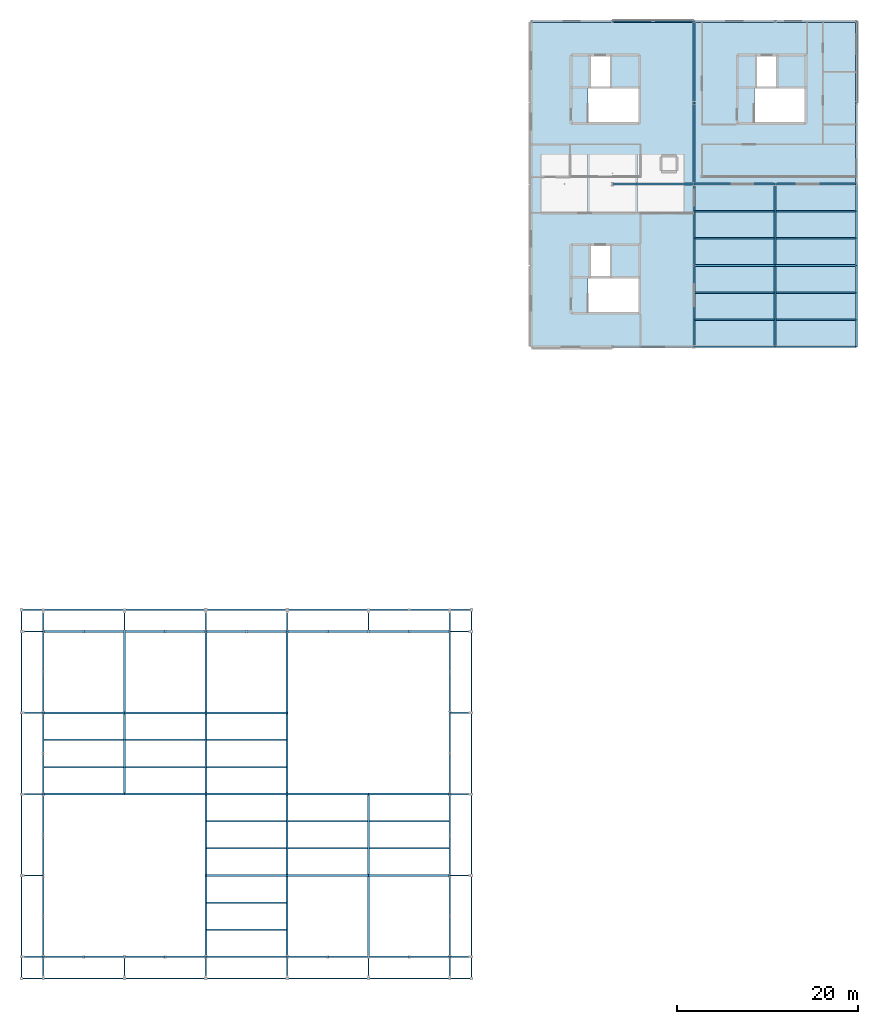
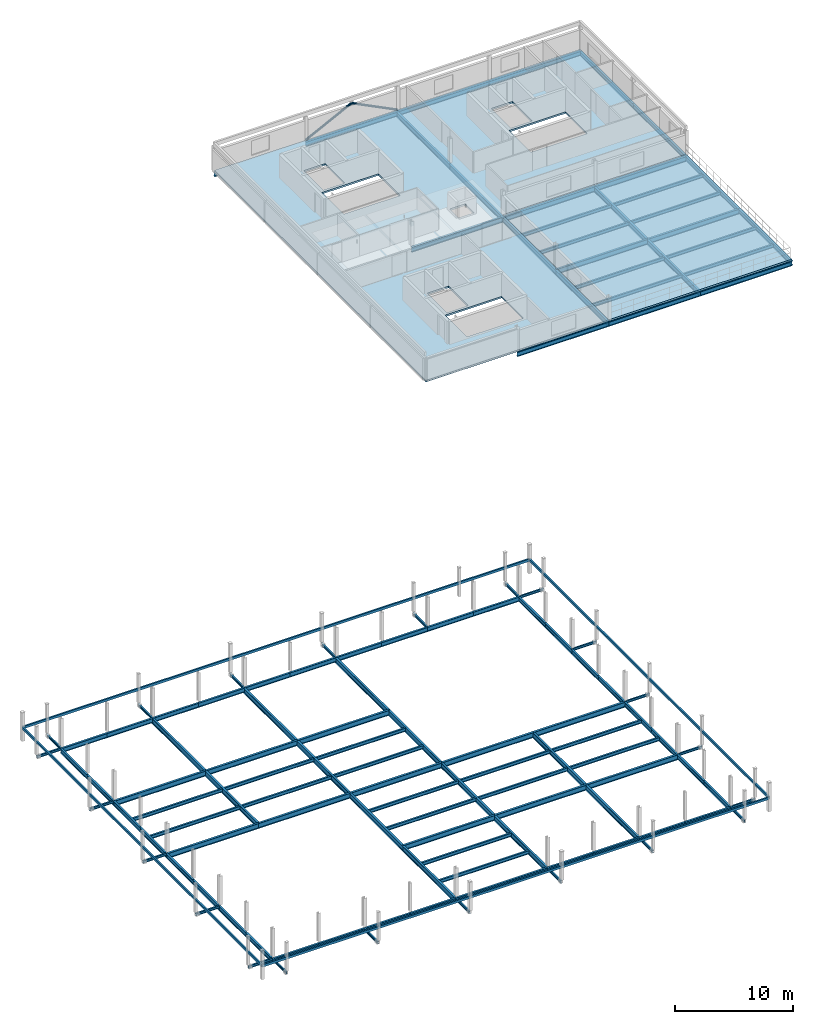
# One storey, part 9 of 16: 128 beams, 2 members, 2 slabs.
"""IFC4 building model written with IfcOpenShell, lengths in metres."""

from ifc_helpers import new_model, si_unit, direction, frame, origin, origin_2d, place, context, subcontext, project, spatial, polyline, hollow_rectangle, hollow_circle, i_section, outline, extrude, material, layer, layer_set, material_profile, profile_set, type_object, element, save


model = new_model("IFC4")

# Units and contexts
model_context = context("Model", 3, precision=1e-05, world=origin(), true_north=direction((0.0, 1.0)))
body_context = subcontext(model_context, "Body", "Model", "MODEL_VIEW")
ifc_project = project(units=[si_unit("LENGTHUNIT", "METRE"), si_unit("AREAUNIT", "SQUARE_METRE"), si_unit("VOLUMEUNIT", "CUBIC_METRE"), si_unit("PLANEANGLEUNIT", "RADIAN"), si_unit("MASSUNIT", "GRAM", prefix="KILO"), si_unit("THERMODYNAMICTEMPERATUREUNIT", "KELVIN"), si_unit("POWERUNIT", "WATT")], contexts=[model_context])

# Site, building, storey
site_placement = place(None, origin())
site = spatial("IfcSite", under=ifc_project, at=site_placement, CompositionType="ELEMENT")
building_placement = place(site_placement, origin())
building = spatial("IfcBuilding", under=site, at=building_placement, Name="Tallowbark Science Centre", CompositionType="ELEMENT")
storey_placement = place(building_placement, frame((0.0, 0.0, 23.39990234375)))
storey = spatial("IfcBuildingStorey", under=building, at=storey_placement, Name="L05", CompositionType="ELEMENT", Elevation=23.39990234375)

# Beams
ifc_material_1 = material(Name="White Architectural Painted Steel Grade C350L0 (350 MPa)", Category="steel")
ifc_material_profile_1 = material_profile(ifc_material_1, i_section(OverallWidth=0.146484375, OverallDepth=0.256103515625, WebThickness=0.00634765625, FlangeThickness=0.010986328125, FilletRadius=0.0087890625, at=origin_2d()), Name="250UB37.3")
ifc_profile_set_1 = profile_set([ifc_material_profile_1], Name="White Architectural Painted Steel Grade C350L0 (350 MPa)")
beam_type_1 = type_object("IfcBeamType", Name="BM-OUT250", PredefinedType="BEAM", material=ifc_profile_set_1)
for number, where, z_axis, x_axis, name in (
    (1, (58.5, 4.5, -0.25), (0.0, -1.0, 0.0), (1.0, 0.0, 0.0), "Star Screen Outrigger Tie Beam S-79"),
    (2, (58.5, 40.5, -0.25), (0.0, 1.0, 0.0), (-1.0, 0.0, 0.0), "Star Screen Outrigger Tie Beam N-80"),
    (3, (67.5, 4.5, -0.25), (0.0, -1.0, 0.0), (1.0, 0.0, 0.0), "Star Screen Outrigger Tie Beam S-81"),
    (4, (67.5, 40.5, -0.25), (0.0, 1.0, 0.0), (-1.0, 0.0, 0.0), "Star Screen Outrigger Tie Beam N-82"),
    (5, (76.5, 4.5, -0.25), (0.0, -1.0, 0.0), (1.0, 0.0, 0.0), "Star Screen Outrigger Tie Beam S-83"),
    (6, (76.5, 40.5, -0.25), (0.0, 1.0, 0.0), (-1.0, 0.0, 0.0), "Star Screen Outrigger Tie Beam N-84"),
    (7, (85.5, 4.5, -0.25), (0.0, -1.0, 0.0), (1.0, 0.0, 0.0), "Star Screen Outrigger Tie Beam S-85"),
    (8, (85.5, 40.5, -0.25), (0.0, 1.0, 0.0), (-1.0, 0.0, 0.0), "Star Screen Outrigger Tie Beam N-86"),
    (9, (94.5, 4.5, -0.25), (0.0, -1.0, 0.0), (1.0, 0.0, 0.0), "Star Screen Outrigger Tie Beam S-87"),
    (10, (94.5, 40.5, -0.25), (0.0, 1.0, 0.0), (-1.0, 0.0, 0.0), "Star Screen Outrigger Tie Beam N-88"),
    (11, (103.5, 4.5, -0.25), (0.0, -1.0, 0.0), (1.0, 0.0, 0.0), "Star Screen Outrigger Tie Beam S-89"),
    (12, (103.5, 40.5, -0.25), (0.0, 1.0, 0.0), (-1.0, 0.0, 0.0), "Star Screen Outrigger Tie Beam N-90"),
    (13, (58.5, 4.5, -0.25), (-1.0, 0.0, 0.0), (0.0, -1.0, 0.0), "Star Screen Outrigger Tie Beam W-91"),
    (14, (103.5, 4.5, -0.25), (1.0, 0.0, 0.0), (0.0, 1.0, 0.0), "Star Screen Outrigger Tie Beam E-92"),
    (15, (58.5, 13.5, -0.25), (-1.0, 0.0, 0.0), (0.0, -1.0, 0.0), "Star Screen Outrigger Tie Beam W-93"),
    (16, (103.5, 13.5, -0.25), (1.0, 0.0, 0.0), (0.0, 1.0, 0.0), "Star Screen Outrigger Tie Beam E-94"),
    (17, (58.5, 22.5, -0.25), (-1.0, 0.0, 0.0), (0.0, -1.0, 0.0), "Star Screen Outrigger Tie Beam W-95"),
    (18, (103.5, 22.5, -0.25), (1.0, 0.0, 0.0), (0.0, 1.0, 0.0), "Star Screen Outrigger Tie Beam E-96"),
    (19, (58.5, 31.5, -0.25), (-1.0, 0.0, 0.0), (0.0, -1.0, 0.0), "Star Screen Outrigger Tie Beam W-97"),
    (20, (103.5, 31.5, -0.25), (1.0, 0.0, 0.0), (0.0, 1.0, 0.0), "Star Screen Outrigger Tie Beam E-98"),
    (21, (58.5, 40.5, -0.25), (-1.0, 0.0, 0.0), (0.0, -1.0, 0.0), "Star Screen Outrigger Tie Beam W-99"),
    (22, (103.5, 40.5, -0.25), (1.0, 0.0, 0.0), (0.0, 1.0, 0.0), "Star Screen Outrigger Tie Beam E-100"),
):
    element("IfcBeam", number, at=place(storey_placement, frame(where, z_axis=z_axis, x_axis=x_axis)), inside=storey, type_object=beam_type_1, Name=name, PredefinedType="BEAM", context=body_context, shape_type="SweptSolid", body=[
        extrude(i_section(OverallWidth=0.146484375, OverallDepth=0.256103515625, WebThickness=0.00634765625, FlangeThickness=0.010986328125, FilletRadius=0.0087890625, at=origin_2d()), origin(), (0.0, 0.0, 1.0), 2.39990234375),
    ])
ifc_material_2 = material(Name="Structural Steel Grade 300PLUS (300 MPa)", Category="steel")
ifc_material_profile_2 = material_profile(ifc_material_2, i_section(OverallWidth=0.208984375, OverallDepth=0.532958984375, WebThickness=0.01025390625, FlangeThickness=0.015625, FilletRadius=0.013916015625, at=origin_2d()), Name="530UB92.4")
ifc_profile_set_2 = profile_set([ifc_material_profile_2], Name="Structural Steel Grade 300PLUS (300 MPa)")
beam_type_2 = type_object("IfcBeamType", Name="BM-UB530A", PredefinedType="BEAM", material=ifc_profile_set_2)
for number, where, z_axis, x_axis, name in (
    (23, (76.5, 13.5, -0.4462890625), (1.0, 0.0, 0.0), (0.0, 1.0, 0.0), "Primary Girder GRDX-L05-765-855-135"),
    (24, (85.5, 13.5, -0.4462890625), (1.0, 0.0, 0.0), (0.0, 1.0, 0.0), "Primary Girder GRDX-L05-855-945-135"),
    (25, (94.5, 13.5, -0.4462890625), (1.0, 0.0, 0.0), (0.0, 1.0, 0.0), "Primary Girder GRDX-L05-945-1035-135"),
    (26, (58.5, 22.5, -0.4462890625), (1.0, 0.0, 0.0), (0.0, 1.0, 0.0), "Primary Girder GRDX-L05-585-675-225"),
    (27, (67.5, 22.5, -0.4462890625), (1.0, 0.0, 0.0), (0.0, 1.0, 0.0), "Primary Girder GRDX-L05-675-765-225"),
    (28, (76.5, 22.5, -0.4462890625), (1.0, 0.0, 0.0), (0.0, 1.0, 0.0), "Primary Girder GRDX-L05-765-855-225"),
    (29, (85.5, 22.5, -0.4462890625), (1.0, 0.0, 0.0), (0.0, 1.0, 0.0), "Primary Girder GRDX-L05-855-945-225"),
    (30, (94.5, 22.5, -0.4462890625), (1.0, 0.0, 0.0), (0.0, 1.0, 0.0), "Primary Girder GRDX-L05-945-1035-225"),
    (31, (58.5, 31.5, -0.4462890625), (1.0, 0.0, 0.0), (0.0, 1.0, 0.0), "Primary Girder GRDX-L05-585-675-315"),
    (32, (67.5, 31.5, -0.4462890625), (1.0, 0.0, 0.0), (0.0, 1.0, 0.0), "Primary Girder GRDX-L05-675-765-315"),
    (33, (76.5, 31.5, -0.4462890625), (1.0, 0.0, 0.0), (0.0, 1.0, 0.0), "Primary Girder GRDX-L05-765-855-315"),
    (34, (130.5, 81.0, -0.4462890625), (1.0, 0.0, 0.0), (0.0, 1.0, 0.0), "Primary Girder GRDX-L05-1305-1395-810"),
    (35, (139.5, 81.0, -0.4462890625), (1.0, 0.0, 0.0), (0.0, 1.0, 0.0), "Primary Girder GRDX-L05-1395-1485-810"),
    (36, (121.5, 90.0, -0.4462890625), (1.0, 0.0, 0.0), (0.0, 1.0, 0.0), "Primary Girder GRDX-L05-1215-1305-900"),
    (37, (130.5, 90.0, -0.4462890625), (1.0, 0.0, 0.0), (0.0, 1.0, 0.0), "Primary Girder GRDX-L05-1305-1395-900"),
    (38, (139.5, 90.0, -0.4462890625), (1.0, 0.0, 0.0), (0.0, 1.0, 0.0), "Primary Girder GRDX-L05-1395-1485-900"),
):
    element("IfcBeam", number, at=place(storey_placement, frame(where, z_axis=z_axis, x_axis=x_axis)), inside=storey, type_object=beam_type_2, Name=name, PredefinedType="BEAM", context=body_context, shape_type="SweptSolid", body=[
        extrude(i_section(OverallWidth=0.208984375, OverallDepth=0.532958984375, WebThickness=0.01025390625, FlangeThickness=0.015625, FilletRadius=0.013916015625, at=origin_2d()), origin(), (0.0, 0.0, 1.0), 9.0),
    ])
ifc_material_profile_3 = material_profile(ifc_material_2, i_section(OverallWidth=0.208740234375, OverallDepth=0.5283203125, WebThickness=0.009521484375, FlangeThickness=0.01318359375, FilletRadius=0.013916015625, at=origin_2d()), Name="530UB82.0")
ifc_profile_set_3 = profile_set([ifc_material_profile_3], Name="Structural Steel Grade 300PLUS (300 MPa)")
beam_type_3 = type_object("IfcBeamType", Name="BM-UB530B", PredefinedType="BEAM", material=ifc_profile_set_3)
for number, where, z_axis, x_axis, name in (
    (39, (67.5, 22.5, -0.444091796875), (0.0, 1.0, 0.0), (-1.0, 0.0, 0.0), "Primary Girder GRDY-L05-675-225-315"),
    (40, (67.5, 31.5, -0.444091796875), (0.0, 1.0, 0.0), (-1.0, 0.0, 0.0), "Primary Girder GRDY-L05-675-315-405"),
    (41, (76.5, 4.5, -0.444091796875), (0.0, 1.0, 0.0), (-1.0, 0.0, 0.0), "Primary Girder GRDY-L05-765-45-135"),
    (42, (76.5, 13.5, -0.444091796875), (0.0, 1.0, 0.0), (-1.0, 0.0, 0.0), "Primary Girder GRDY-L05-765-135-225"),
    (43, (76.5, 22.5, -0.444091796875), (0.0, 1.0, 0.0), (-1.0, 0.0, 0.0), "Primary Girder GRDY-L05-765-225-315"),
    (44, (76.5, 31.5, -0.444091796875), (0.0, 1.0, 0.0), (-1.0, 0.0, 0.0), "Primary Girder GRDY-L05-765-315-405"),
    (45, (85.5, 4.5, -0.444091796875), (0.0, 1.0, 0.0), (-1.0, 0.0, 0.0), "Primary Girder GRDY-L05-855-45-135"),
    (46, (85.5, 13.5, -0.444091796875), (0.0, 1.0, 0.0), (-1.0, 0.0, 0.0), "Primary Girder GRDY-L05-855-135-225"),
    (47, (85.5, 22.5, -0.444091796875), (0.0, 1.0, 0.0), (-1.0, 0.0, 0.0), "Primary Girder GRDY-L05-855-225-315"),
    (48, (85.5, 31.5, -0.444091796875), (0.0, 1.0, 0.0), (-1.0, 0.0, 0.0), "Primary Girder GRDY-L05-855-315-405"),
    (49, (94.5, 4.5, -0.444091796875), (0.0, 1.0, 0.0), (-1.0, 0.0, 0.0), "Primary Girder GRDY-L05-945-45-135"),
    (50, (94.5, 13.5, -0.444091796875), (0.0, 1.0, 0.0), (-1.0, 0.0, 0.0), "Primary Girder GRDY-L05-945-135-225"),
    (51, (130.5, 72.0, -0.444091796875), (0.0, 1.0, 0.0), (-1.0, 0.0, 0.0), "Primary Girder GRDY-L05-1305-720-810"),
    (52, (130.5, 81.0, -0.444091796875), (0.0, 1.0, 0.0), (-1.0, 0.0, 0.0), "Primary Girder GRDY-L05-1305-810-900"),
    (53, (130.5, 90.0, -0.444091796875), (0.0, 1.0, 0.0), (-1.0, 0.0, 0.0), "Primary Girder GRDY-L05-1305-900-990"),
    (54, (130.5, 99.0, -0.444091796875), (0.0, 1.0, 0.0), (-1.0, 0.0, 0.0), "Primary Girder GRDY-L05-1305-990-1080"),
    (55, (139.5, 72.0, -0.444091796875), (0.0, 1.0, 0.0), (-1.0, 0.0, 0.0), "Primary Girder GRDY-L05-1395-720-810"),
    (56, (139.5, 81.0, -0.444091796875), (0.0, 1.0, 0.0), (-1.0, 0.0, 0.0), "Primary Girder GRDY-L05-1395-810-900"),
):
    element("IfcBeam", number, at=place(storey_placement, frame(where, z_axis=z_axis, x_axis=x_axis)), inside=storey, type_object=beam_type_3, Name=name, PredefinedType="BEAM", context=body_context, shape_type="SweptSolid", body=[
        extrude(i_section(OverallWidth=0.208740234375, OverallDepth=0.5283203125, WebThickness=0.009521484375, FlangeThickness=0.01318359375, FilletRadius=0.013916015625, at=origin_2d()), origin(), (0.0, 0.0, 1.0), 9.0),
    ])

# Members
ifc_material_3 = material(Name="Structural Steel Grade C350L0 (350 MPa)", Category="steel")
ifc_material_profile_4 = material_profile(ifc_material_3, hollow_circle(Radius=0.109619140625, WallThickness=0.00830078125, at=origin_2d()), Name="219.1x8.2CHS")
ifc_profile_set_4 = profile_set([ifc_material_profile_4], Name="Structural Steel Grade C350L0 (350 MPa)")
member_type = type_object("IfcMemberType", Name="CBF-219CHS", PredefinedType="BRACE", material=ifc_profile_set_4)
for number, where, z_axis, x_axis, name in (
    (57, (121.5, 108.0, 0.0), (0.893630663254, 0.0, 0.448803116848), (0.0, 1.0, 0.0), "Concentric Chevron Brace CBF-OBS-N1 L05 Left"),
    (58, (130.5, 108.0, 0.0), (-0.893630663254, 0.0, 0.448803116848), (0.0, -1.0, 0.0), "Concentric Chevron Brace CBF-OBS-N1 L05 Right"),
):
    element("IfcMember", number, at=place(storey_placement, frame(where, z_axis=z_axis, x_axis=x_axis)), inside=storey, type_object=member_type, Name=name, PredefinedType="BRACE", context=body_context, shape_type="SweptSolid", body=[
        extrude(hollow_circle(Radius=0.109619140625, WallThickness=0.00830078125, at=origin_2d()), origin(), (0.0, 0.0, 1.0), 5.03564453125),
    ])

# Beams
ifc_material_profile_5 = material_profile(ifc_material_2, i_section(OverallWidth=0.172119140625, OverallDepth=0.358642578125, WebThickness=0.008056640625, FlangeThickness=0.012939453125, FilletRadius=0.011474609375, at=origin_2d()), Name="360UB56.7")
ifc_profile_set_5 = profile_set([ifc_material_profile_5], Name="Structural Steel Grade 300PLUS (300 MPa)")
beam_type_4 = type_object("IfcBeamType", Name="JST-UB360", PredefinedType="JOIST", material=ifc_profile_set_5)
for number, where, z_axis, x_axis, name in (
    (59, (76.5849609375, 7.5, -0.359130859375), (1.0, 0.0, 0.0), (0.0, 1.0, 0.0), "Composite Floor Joist JSTX-L05-765-75"),
    (60, (76.5849609375, 10.5, -0.359130859375), (1.0, 0.0, 0.0), (0.0, 1.0, 0.0), "Composite Floor Joist JSTX-L05-765-105"),
    (61, (76.5849609375, 16.5, -0.359130859375), (1.0, 0.0, 0.0), (0.0, 1.0, 0.0), "Composite Floor Joist JSTX-L05-765-165"),
    (62, (76.5849609375, 19.5, -0.359130859375), (1.0, 0.0, 0.0), (0.0, 1.0, 0.0), "Composite Floor Joist JSTX-L05-765-195"),
    (63, (85.5849609375, 16.5, -0.359130859375), (1.0, 0.0, 0.0), (0.0, 1.0, 0.0), "Composite Floor Joist JSTX-L05-855-165"),
    (64, (85.5849609375, 19.5, -0.359130859375), (1.0, 0.0, 0.0), (0.0, 1.0, 0.0), "Composite Floor Joist JSTX-L05-855-195"),
    (65, (94.5849609375, 16.5, -0.359130859375), (1.0, 0.0, 0.0), (0.0, 1.0, 0.0), "Composite Floor Joist JSTX-L05-945-165"),
    (66, (94.5849609375, 19.5, -0.359130859375), (1.0, 0.0, 0.0), (0.0, 1.0, 0.0), "Composite Floor Joist JSTX-L05-945-195"),
    (67, (58.5849609375, 25.5, -0.359130859375), (1.0, 0.0, 0.0), (0.0, 1.0, 0.0), "Composite Floor Joist JSTX-L05-585-255"),
    (68, (58.5849609375, 28.5, -0.359130859375), (1.0, 0.0, 0.0), (0.0, 1.0, 0.0), "Composite Floor Joist JSTX-L05-585-285"),
    (69, (67.5849609375, 25.5, -0.359130859375), (1.0, 0.0, 0.0), (0.0, 1.0, 0.0), "Composite Floor Joist JSTX-L05-675-255"),
    (70, (67.5849609375, 28.5, -0.359130859375), (1.0, 0.0, 0.0), (0.0, 1.0, 0.0), "Composite Floor Joist JSTX-L05-675-285"),
    (71, (76.5849609375, 25.5, -0.359130859375), (1.0, 0.0, 0.0), (0.0, 1.0, 0.0), "Composite Floor Joist JSTX-L05-765-255"),
    (72, (76.5849609375, 28.5, -0.359130859375), (1.0, 0.0, 0.0), (0.0, 1.0, 0.0), "Composite Floor Joist JSTX-L05-765-285"),
    (73, (130.5849609375, 75.0, -0.359130859375), (1.0, 0.0, 0.0), (0.0, 1.0, 0.0), "Composite Floor Joist JSTX-L05-1305-750"),
    (74, (130.5849609375, 78.0, -0.359130859375), (1.0, 0.0, 0.0), (0.0, 1.0, 0.0), "Composite Floor Joist JSTX-L05-1305-780"),
    (75, (139.5849609375, 75.0, -0.359130859375), (1.0, 0.0, 0.0), (0.0, 1.0, 0.0), "Composite Floor Joist JSTX-L05-1395-750"),
    (76, (139.5849609375, 78.0, -0.359130859375), (1.0, 0.0, 0.0), (0.0, 1.0, 0.0), "Composite Floor Joist JSTX-L05-1395-780"),
    (77, (130.5849609375, 84.0, -0.359130859375), (1.0, 0.0, 0.0), (0.0, 1.0, 0.0), "Composite Floor Joist JSTX-L05-1305-840"),
    (78, (130.5849609375, 87.0, -0.359130859375), (1.0, 0.0, 0.0), (0.0, 1.0, 0.0), "Composite Floor Joist JSTX-L05-1305-870"),
    (79, (139.5849609375, 84.0, -0.359130859375), (1.0, 0.0, 0.0), (0.0, 1.0, 0.0), "Composite Floor Joist JSTX-L05-1395-840"),
    (80, (139.5849609375, 87.0, -0.359130859375), (1.0, 0.0, 0.0), (0.0, 1.0, 0.0), "Composite Floor Joist JSTX-L05-1395-870"),
):
    element("IfcBeam", number, at=place(storey_placement, frame(where, z_axis=z_axis, x_axis=x_axis)), inside=storey, type_object=beam_type_4, Name=name, PredefinedType="JOIST", context=body_context, shape_type="SweptSolid", body=[
        extrude(i_section(OverallWidth=0.172119140625, OverallDepth=0.358642578125, WebThickness=0.008056640625, FlangeThickness=0.012939453125, FilletRadius=0.011474609375, at=origin_2d()), origin(), (0.0, 0.0, 1.0), 8.830078125),
    ])
ifc_material_profile_6 = material_profile(ifc_material_1, hollow_rectangle(XDim=0.14990234375, YDim=0.25, WallThickness=0.009033203125, at=origin_2d()), Name="250x150x9.0RHS")
ifc_profile_set_6 = profile_set([ifc_material_profile_6], Name="White Architectural Painted Steel Grade C350L0 (350 MPa)")
beam_type_5 = type_object("IfcBeamType", Name="SPN-RHS250", PredefinedType="SPANDREL", material=ifc_profile_set_6)
for number, where, z_axis, x_axis, name in (
    (81, (56.10009765625, 2.10009765625, 1.35009765625), (1.0, 0.0, 0.0), (0.0, 1.0, 0.0), "Star Screen Perimeter Ring Beam S-L05"),
    (82, (56.10009765625, 42.89990234375, 1.35009765625), (1.0, 0.0, 0.0), (0.0, 1.0, 0.0), "Star Screen Perimeter Ring Beam N-L05"),
):
    element("IfcBeam", number, at=place(storey_placement, frame(where, z_axis=z_axis, x_axis=x_axis)), inside=storey, type_object=beam_type_5, Name=name, PredefinedType="SPANDREL", context=body_context, shape_type="SweptSolid", body=[
        extrude(hollow_rectangle(XDim=0.14990234375, YDim=0.25, WallThickness=0.009033203125, at=origin_2d()), origin(), (0.0, 0.0, 1.0), 49.7998046875),
    ])
for number, where, z_axis, x_axis, name in (
    (83, (56.10009765625, 2.10009765625, 1.35009765625), (0.0, 1.0, 0.0), (-1.0, 0.0, 0.0), "Star Screen Perimeter Ring Beam W-L05"),
    (84, (105.89990234375, 2.10009765625, 1.35009765625), (0.0, 1.0, 0.0), (-1.0, 0.0, 0.0), "Star Screen Perimeter Ring Beam E-L05"),
):
    element("IfcBeam", number, at=place(storey_placement, frame(where, z_axis=z_axis, x_axis=x_axis)), inside=storey, type_object=beam_type_5, Name=name, PredefinedType="SPANDREL", context=body_context, shape_type="SweptSolid", body=[
        extrude(hollow_rectangle(XDim=0.14990234375, YDim=0.25, WallThickness=0.009033203125, at=origin_2d()), origin(), (0.0, 0.0, 1.0), 40.7998046875),
    ])
ifc_material_profile_7 = material_profile(ifc_material_2, i_section(OverallWidth=0.18994140625, OverallDepth=0.453857421875, WebThickness=0.008544921875, FlangeThickness=0.0126953125, FilletRadius=0.011474609375, at=origin_2d()), Name="460UB67.1")
ifc_profile_set_7 = profile_set([ifc_material_profile_7], Name="Structural Steel Grade 300PLUS (300 MPa)")
beam_type_6 = type_object("IfcBeamType", Name="SPN-UB460", PredefinedType="SPANDREL", material=ifc_profile_set_7)
for number, where, z_axis, x_axis, name in (
    (85, (58.5, 4.5, -0.40673828125), (1.0, 0.0, 0.0), (0.0, 1.0, 0.0), "Primary Girder GRDX-L05-585-630-45"),
    (86, (63.0, 4.5, -0.40673828125), (1.0, 0.0, 0.0), (0.0, 1.0, 0.0), "Primary Girder GRDX-L05-630-675-45"),
    (87, (67.5, 4.5, -0.40673828125), (1.0, 0.0, 0.0), (0.0, 1.0, 0.0), "Primary Girder GRDX-L05-675-720-45"),
    (88, (72.0, 4.5, -0.40673828125), (1.0, 0.0, 0.0), (0.0, 1.0, 0.0), "Primary Girder GRDX-L05-720-765-45"),
):
    element("IfcBeam", number, at=place(storey_placement, frame(where, z_axis=z_axis, x_axis=x_axis)), inside=storey, type_object=beam_type_6, Name=name, PredefinedType="SPANDREL", context=body_context, shape_type="SweptSolid", body=[
        extrude(i_section(OverallWidth=0.18994140625, OverallDepth=0.453857421875, WebThickness=0.008544921875, FlangeThickness=0.0126953125, FilletRadius=0.011474609375, at=origin_2d()), origin(), (0.0, 0.0, 1.0), 4.5),
    ])
beam_placement = place(storey_placement, frame((76.5, 4.5, -0.40673828125), z_axis=(1.0, 0.0, 0.0), x_axis=(0.0, 1.0, 0.0)))
element("IfcBeam", 89, at=beam_placement, inside=storey, type_object=beam_type_6, Name="Primary Girder GRDX-L05-765-855-45", PredefinedType="SPANDREL", context=body_context, shape_type="SweptSolid", body=[
    extrude(i_section(OverallWidth=0.18994140625, OverallDepth=0.453857421875, WebThickness=0.008544921875, FlangeThickness=0.0126953125, FilletRadius=0.011474609375, at=origin_2d()), origin(), (0.0, 0.0, 1.0), 9.0),
])
for number, where, z_axis, x_axis, name in (
    (90, (85.5, 4.5, -0.40673828125), (1.0, 0.0, 0.0), (0.0, 1.0, 0.0), "Primary Girder GRDX-L05-855-900-45"),
    (91, (90.0, 4.5, -0.40673828125), (1.0, 0.0, 0.0), (0.0, 1.0, 0.0), "Primary Girder GRDX-L05-900-945-45"),
    (92, (94.5, 4.5, -0.40673828125), (1.0, 0.0, 0.0), (0.0, 1.0, 0.0), "Primary Girder GRDX-L05-945-990-45"),
    (93, (99.0, 4.5, -0.40673828125), (1.0, 0.0, 0.0), (0.0, 1.0, 0.0), "Primary Girder GRDX-L05-990-1035-45"),
    (94, (58.5, 40.5, -0.40673828125), (1.0, 0.0, 0.0), (0.0, 1.0, 0.0), "Primary Girder GRDX-L05-585-630-405"),
    (95, (63.0, 40.5, -0.40673828125), (1.0, 0.0, 0.0), (0.0, 1.0, 0.0), "Primary Girder GRDX-L05-630-675-405"),
    (96, (67.5, 40.5, -0.40673828125), (1.0, 0.0, 0.0), (0.0, 1.0, 0.0), "Primary Girder GRDX-L05-675-720-405"),
    (97, (72.0, 40.5, -0.40673828125), (1.0, 0.0, 0.0), (0.0, 1.0, 0.0), "Primary Girder GRDX-L05-720-765-405"),
    (98, (76.5, 40.5, -0.40673828125), (1.0, 0.0, 0.0), (0.0, 1.0, 0.0), "Primary Girder GRDX-L05-765-810-405"),
    (99, (81.0, 40.5, -0.40673828125), (1.0, 0.0, 0.0), (0.0, 1.0, 0.0), "Primary Girder GRDX-L05-810-855-405"),
    (100, (85.5, 40.5, -0.40673828125), (1.0, 0.0, 0.0), (0.0, 1.0, 0.0), "Primary Girder GRDX-L05-855-900-405"),
    (101, (90.0, 40.5, -0.40673828125), (1.0, 0.0, 0.0), (0.0, 1.0, 0.0), "Primary Girder GRDX-L05-900-945-405"),
    (102, (94.5, 40.5, -0.40673828125), (1.0, 0.0, 0.0), (0.0, 1.0, 0.0), "Primary Girder GRDX-L05-945-990-405"),
    (103, (99.0, 40.5, -0.40673828125), (1.0, 0.0, 0.0), (0.0, 1.0, 0.0), "Primary Girder GRDX-L05-990-1035-405"),
):
    element("IfcBeam", number, at=place(storey_placement, frame(where, z_axis=z_axis, x_axis=x_axis)), inside=storey, type_object=beam_type_6, Name=name, PredefinedType="SPANDREL", context=body_context, shape_type="SweptSolid", body=[
        extrude(i_section(OverallWidth=0.18994140625, OverallDepth=0.453857421875, WebThickness=0.008544921875, FlangeThickness=0.0126953125, FilletRadius=0.011474609375, at=origin_2d()), origin(), (0.0, 0.0, 1.0), 4.5),
    ])
for number, where, z_axis, x_axis, name in (
    (104, (121.5, 72.0, -0.40673828125), (1.0, 0.0, 0.0), (0.0, 1.0, 0.0), "Primary Girder GRDX-L05-1215-1305-720"),
    (105, (130.5, 72.0, -0.40673828125), (1.0, 0.0, 0.0), (0.0, 1.0, 0.0), "Primary Girder GRDX-L05-1305-1395-720"),
    (106, (139.5, 72.0, -0.40673828125), (1.0, 0.0, 0.0), (0.0, 1.0, 0.0), "Primary Girder GRDX-L05-1395-1485-720"),
    (107, (112.5, 108.0, -0.40673828125), (1.0, 0.0, 0.0), (0.0, 1.0, 0.0), "Primary Girder GRDX-L05-1125-1215-1080"),
    (108, (121.5, 108.0, -0.40673828125), (1.0, 0.0, 0.0), (0.0, 1.0, 0.0), "Primary Girder GRDX-L05-1215-1305-1080"),
    (109, (130.5, 108.0, -0.40673828125), (1.0, 0.0, 0.0), (0.0, 1.0, 0.0), "Primary Girder GRDX-L05-1305-1395-1080"),
    (110, (139.5, 108.0, -0.40673828125), (1.0, 0.0, 0.0), (0.0, 1.0, 0.0), "Primary Girder GRDX-L05-1395-1485-1080"),
):
    element("IfcBeam", number, at=place(storey_placement, frame(where, z_axis=z_axis, x_axis=x_axis)), inside=storey, type_object=beam_type_6, Name=name, PredefinedType="SPANDREL", context=body_context, shape_type="SweptSolid", body=[
        extrude(i_section(OverallWidth=0.18994140625, OverallDepth=0.453857421875, WebThickness=0.008544921875, FlangeThickness=0.0126953125, FilletRadius=0.011474609375, at=origin_2d()), origin(), (0.0, 0.0, 1.0), 9.0),
    ])
for number, where, z_axis, x_axis, name in (
    (111, (58.5, 4.5, -0.40673828125), (0.0, 1.0, 0.0), (-1.0, 0.0, 0.0), "Primary Girder GRDY-L05-585-45-90"),
    (112, (58.5, 9.0, -0.40673828125), (0.0, 1.0, 0.0), (-1.0, 0.0, 0.0), "Primary Girder GRDY-L05-585-90-135"),
    (113, (58.5, 13.5, -0.40673828125), (0.0, 1.0, 0.0), (-1.0, 0.0, 0.0), "Primary Girder GRDY-L05-585-135-180"),
    (114, (58.5, 18.0, -0.40673828125), (0.0, 1.0, 0.0), (-1.0, 0.0, 0.0), "Primary Girder GRDY-L05-585-180-225"),
    (115, (58.5, 22.5, -0.40673828125), (0.0, 1.0, 0.0), (-1.0, 0.0, 0.0), "Primary Girder GRDY-L05-585-225-270"),
    (116, (58.5, 27.0, -0.40673828125), (0.0, 1.0, 0.0), (-1.0, 0.0, 0.0), "Primary Girder GRDY-L05-585-270-315"),
    (117, (58.5, 31.5, -0.40673828125), (0.0, 1.0, 0.0), (-1.0, 0.0, 0.0), "Primary Girder GRDY-L05-585-315-360"),
    (118, (58.5, 36.0, -0.40673828125), (0.0, 1.0, 0.0), (-1.0, 0.0, 0.0), "Primary Girder GRDY-L05-585-360-405"),
    (119, (103.5, 4.5, -0.40673828125), (0.0, 1.0, 0.0), (-1.0, 0.0, 0.0), "Primary Girder GRDY-L05-1035-45-90"),
    (120, (103.5, 9.0, -0.40673828125), (0.0, 1.0, 0.0), (-1.0, 0.0, 0.0), "Primary Girder GRDY-L05-1035-90-135"),
    (121, (103.5, 13.5, -0.40673828125), (0.0, 1.0, 0.0), (-1.0, 0.0, 0.0), "Primary Girder GRDY-L05-1035-135-180"),
    (122, (103.5, 18.0, -0.40673828125), (0.0, 1.0, 0.0), (-1.0, 0.0, 0.0), "Primary Girder GRDY-L05-1035-180-225"),
    (123, (103.5, 22.5, -0.40673828125), (0.0, 1.0, 0.0), (-1.0, 0.0, 0.0), "Primary Girder GRDY-L05-1035-225-270"),
    (124, (103.5, 27.0, -0.40673828125), (0.0, 1.0, 0.0), (-1.0, 0.0, 0.0), "Primary Girder GRDY-L05-1035-270-315"),
    (125, (103.5, 31.5, -0.40673828125), (0.0, 1.0, 0.0), (-1.0, 0.0, 0.0), "Primary Girder GRDY-L05-1035-315-360"),
    (126, (103.5, 36.0, -0.40673828125), (0.0, 1.0, 0.0), (-1.0, 0.0, 0.0), "Primary Girder GRDY-L05-1035-360-405"),
):
    element("IfcBeam", number, at=place(storey_placement, frame(where, z_axis=z_axis, x_axis=x_axis)), inside=storey, type_object=beam_type_6, Name=name, PredefinedType="SPANDREL", context=body_context, shape_type="SweptSolid", body=[
        extrude(i_section(OverallWidth=0.18994140625, OverallDepth=0.453857421875, WebThickness=0.008544921875, FlangeThickness=0.0126953125, FilletRadius=0.011474609375, at=origin_2d()), origin(), (0.0, 0.0, 1.0), 4.5),
    ])
for number, where, z_axis, x_axis, name in (
    (127, (148.5, 72.0, -0.40673828125), (0.0, 1.0, 0.0), (-1.0, 0.0, 0.0), "Primary Girder GRDY-L05-1485-720-810"),
    (128, (148.5, 81.0, -0.40673828125), (0.0, 1.0, 0.0), (-1.0, 0.0, 0.0), "Primary Girder GRDY-L05-1485-810-900"),
    (129, (148.5, 90.0, -0.40673828125), (0.0, 1.0, 0.0), (-1.0, 0.0, 0.0), "Primary Girder GRDY-L05-1485-900-990"),
    (130, (148.5, 99.0, -0.40673828125), (0.0, 1.0, 0.0), (-1.0, 0.0, 0.0), "Primary Girder GRDY-L05-1485-990-1080"),
):
    element("IfcBeam", number, at=place(storey_placement, frame(where, z_axis=z_axis, x_axis=x_axis)), inside=storey, type_object=beam_type_6, Name=name, PredefinedType="SPANDREL", context=body_context, shape_type="SweptSolid", body=[
        extrude(i_section(OverallWidth=0.18994140625, OverallDepth=0.453857421875, WebThickness=0.008544921875, FlangeThickness=0.0126953125, FilletRadius=0.011474609375, at=origin_2d()), origin(), (0.0, 0.0, 1.0), 9.0),
    ])

# Slabs
ifc_material_4 = material(Name="Concrete Grade N40 (40 MPa)", Category="concrete")
ifc_layer_1 = layer(ifc_material_4, 0.179931640625)
ifc_layer_set_1 = layer_set([ifc_layer_1], Name="Concrete Grade N40 (40 MPa)")
slab_type_1 = type_object("IfcSlabType", Name="SLB-FLR-180", PredefinedType="FLOOR", material=ifc_layer_set_1)
slab_1_placement = place(storey_placement, frame((0.0, 0.0, -0.179931640625)))
element("IfcSlab", 131, at=slab_1_placement, inside=storey, type_object=slab_type_1, Name="Observatory Control Pavilion L05 Slab SLB-OBS-INT-L05", PredefinedType="FLOOR", context=body_context, shape_type="SweptSolid", body=[
    extrude(outline(polyline([(112.52490234375, 72.0), (130.5, 72.0), (130.5, 90.0), (148.5, 90.0), (148.5, 108.0), (112.52490234375, 108.0), (112.52490234375, 72.0)]), holes=[polyline([(118.81005859375, 75.85009765625), (124.35009765625, 75.85009765625), (124.35009765625, 79.570068359375), (118.81005859375, 79.570068359375), (118.81005859375, 75.85009765625)]), polyline([(137.2099609375, 96.85009765625), (142.75, 96.85009765625), (142.75, 100.570068359375), (137.2099609375, 100.570068359375), (137.2099609375, 96.85009765625)]), polyline([(118.81005859375, 96.85009765625), (124.35009765625, 96.85009765625), (124.35009765625, 100.570068359375), (118.81005859375, 100.570068359375), (118.81005859375, 96.85009765625)]), polyline([(119.10009765625, 79.820068359375), (121.199951171875, 79.820068359375), (121.199951171875, 83.14990234375), (119.10009765625, 83.14990234375), (119.10009765625, 79.820068359375)]), polyline([(137.5, 100.820068359375), (139.60009765625, 100.820068359375), (139.60009765625, 104.14990234375), (137.5, 104.14990234375), (137.5, 100.820068359375)]), polyline([(119.10009765625, 100.820068359375), (121.199951171875, 100.820068359375), (121.199951171875, 104.14990234375), (119.10009765625, 104.14990234375), (119.10009765625, 100.820068359375)]), polyline([(127.0, 91.5), (128.5, 91.5), (128.5, 93.0), (127.0, 93.0), (127.0, 91.5)])]), origin(), (0.0, 0.0, 1.0), 0.179931640625),
])
ifc_layer_2 = layer(ifc_material_4, 0.169921875)
ifc_layer_set_2 = layer_set([ifc_layer_2], Name="Concrete Grade N40 (40 MPa)")
slab_type_2 = type_object("IfcSlabType", Name="SLB-TER-170", PredefinedType="FLOOR", material=ifc_layer_set_2)
slab_2_placement = place(storey_placement, frame((0.0, 0.0, -0.169921875)))
element("IfcSlab", 132, at=slab_2_placement, inside=storey, type_object=slab_type_2, Name="Rooftop Observatory Terrace L05 SLB-OBS-TERE-L05", PredefinedType="FLOOR", context=body_context, shape_type="SweptSolid", body=[
    extrude(outline(polyline([(130.5, 72.0), (148.5, 72.0), (148.5, 90.0), (130.5, 90.0), (130.5, 72.0)])), origin(), (0.0, 0.0, 1.0), 0.169921875),
])

save(model, "model.ifc")
